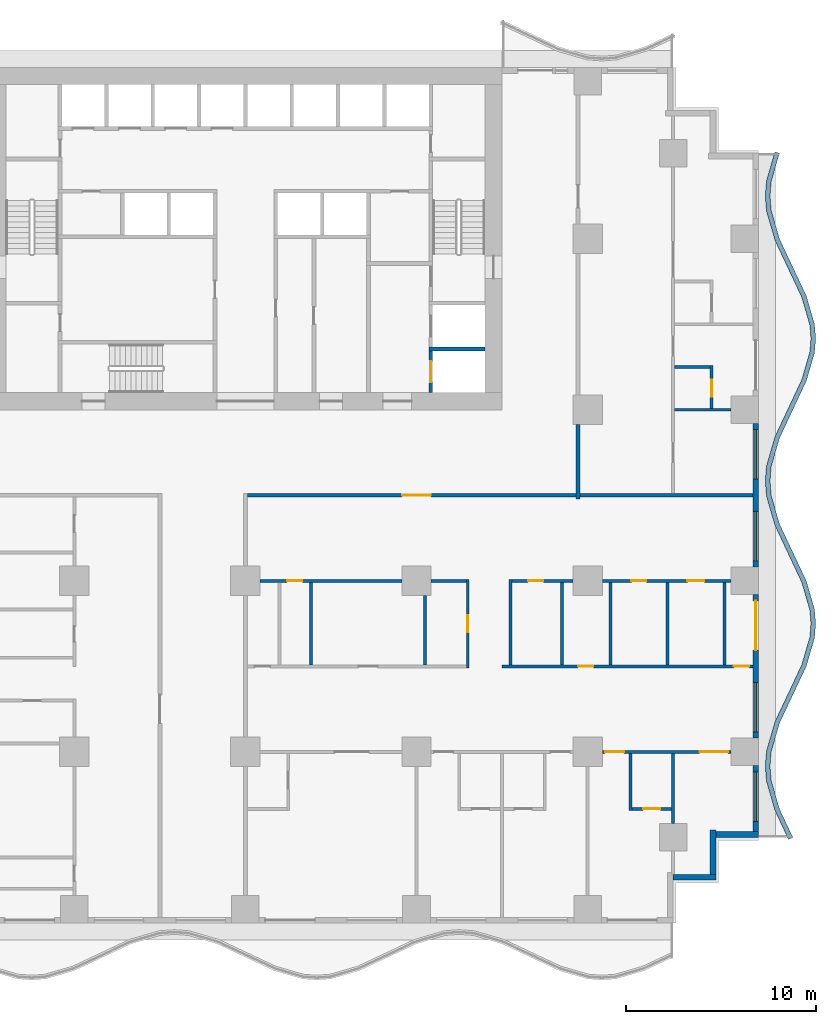
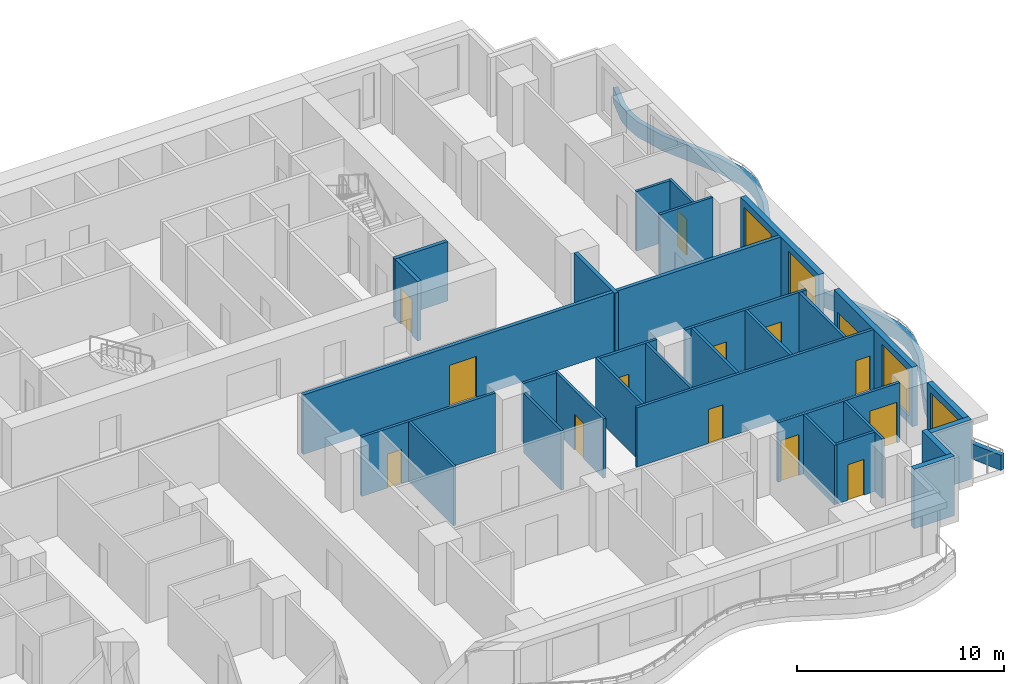
# One storey, part 4 of 14: 32 walls, 14 doors, 4 windows, 18 openings.
"""IFC4 building model written with IfcOpenShell, lengths in metres."""

from ifc_helpers import new_model, si_unit, direction, frame, frame_2d, origin, place, context, subcontext, project, spatial, polyline, rectangle, outline, extrude, material, layer, layer_set, type_object, element, fill, save


model = new_model("IFC4")

# Units and contexts
model_context = context("Model", 3, precision=1e-05, world=origin(), true_north=direction((0.0, 1.0)))
body_context = subcontext(model_context, "Body", "Model", "MODEL_VIEW")
ifc_project = project(units=[si_unit("LENGTHUNIT", "METRE"), si_unit("AREAUNIT", "SQUARE_METRE"), si_unit("VOLUMEUNIT", "CUBIC_METRE"), si_unit("PLANEANGLEUNIT", "RADIAN"), si_unit("MASSUNIT", "GRAM", prefix="KILO")], contexts=[model_context])

# Site, building, storey
site_placement = place(None, origin())
site = spatial("IfcSite", under=ifc_project, at=site_placement, CompositionType="ELEMENT")
building_placement = place(site_placement, origin())
building = spatial("IfcBuilding", under=site, at=building_placement, Name="Orbiselva Terraces", CompositionType="ELEMENT")
storey_placement = place(building_placement, frame((0.0, 0.0, 30.2)))
storey = spatial("IfcBuildingStorey", under=building, at=storey_placement, Name="L07", CompositionType="ELEMENT", Elevation=30.2)

# Wall, opening, door
ifc_material_1 = material(Name="Concrete C60/75", Category="concrete")
ifc_layer_1 = layer(ifc_material_1, 0.2)
ifc_layer_set_1 = layer_set([ifc_layer_1], Name="Concrete C60/75")
wall_type_1 = type_object("IfcWallType", Name="CORE-WALL-SHEAR-200", PredefinedType="SHEAR", material=ifc_layer_set_1)
wall_1_placement = place(storey_placement, frame((9.75, 5.4, 0.0), z_axis=(0.0, 0.0, 1.0), x_axis=(0.0, 1.0, 0.0)))
wall_1 = element("IfcWall", 1, at=wall_1_placement, inside=storey, type_object=wall_type_1, Name="L07 core wall 36", PredefinedType="SHEAR", context=body_context, shape_type="SweptSolid", body=[
    extrude(rectangle(XDim=2.2, YDim=0.2, at=frame_2d((1.1, 0.0))), origin(), (0.0, 0.0, 1.0), 3.5),
])
opening_1_placement = place(wall_1_placement, frame((0.55, 0.0, 0.0)))
opening_1 = element("IfcOpeningElement", 2, at=opening_1_placement, cuts=wall_1, Name="Opening LD-FF1", PredefinedType="OPENING", context=body_context, shape_type="SweptSolid", body=[
    extrude(rectangle(XDim=1.1, YDim=2.1, at=frame_2d((0.55, 1.05))), frame((0.0, 0.11, 0.0), z_axis=(0.0, -1.0, 0.0), x_axis=(1.0, 0.0, 0.0)), (0.0, 0.0, 1.0), 0.22),
])
ifc_material_2 = material(Name="Stainless steel landing door", Category="steel")
door_type_1 = type_object("IfcDoorType", Name="LANDING DOOR 1100", OperationType="SLIDING_TO_LEFT", PredefinedType="DOOR", material=ifc_material_2)
door_1_placement = place(opening_1_placement, origin())
door_1 = element("IfcDoor", 3, at=door_1_placement, inside=storey, type_object=door_type_1, Name="L07 landing door FF1", OperationType="SLIDING_TO_RIGHT", OverallHeight=2.1, OverallWidth=1.1, PredefinedType="DOOR", context=body_context, shape_type="SweptSolid", body=[
    extrude(rectangle(XDim=1.1, YDim=2.1, at=frame_2d((0.55, 1.05))), frame((0.0, 0.025, 0.0), z_axis=(0.0, -1.0, 0.0), x_axis=(1.0, 0.0, 0.0)), (0.0, 0.0, 1.0), 0.05),
])
fill(opening_1, door_1)

# Walls
wall_2_placement = place(storey_placement, frame((9.65, 7.7, 0.0), z_axis=(0.0, 0.0, 1.0), x_axis=(1.0, 0.0, 0.0)))
element("IfcWall", 4, at=wall_2_placement, inside=storey, type_object=wall_type_1, Name="L07 core wall 37", PredefinedType="SHEAR", context=body_context, shape_type="SweptSolid", body=[
    extrude(rectangle(XDim=2.95, YDim=0.2, at=frame_2d((1.475, 0.0))), origin(), (0.0, 0.0, 1.0), 3.5),
])
ifc_material_3 = material(Name="Concrete C40/50", Category="concrete")
ifc_layer_2 = layer(ifc_material_3, 0.25)
ifc_layer_set_2 = layer_set([ifc_layer_2], Name="Concrete C40/50")
wall_type_2 = type_object("IfcWallType", Name="ENV-PLANTER-250x900", PredefinedType="USERDEFINED", material=ifc_layer_set_2)
wall_3_placement = place(storey_placement, origin())
element("IfcWall", 5, at=wall_3_placement, inside=storey, type_object=wall_type_2, Name="Balcony planter L07 E", ObjectType="PLANTER", PredefinedType="USERDEFINED", context=body_context, shape_type="SweptSolid", body=[
    extrude(outline(polyline([(28.8, -18.0), (28.094658, -16.5), (27.658732, -15.0), (27.6, -14.25), (27.658732, -13.5), (28.094658, -12.0), (28.8, -10.5), (29.505342, -9.0), (29.941268, -7.5), (30.0, -6.75), (29.941268, -6.0), (29.505342, -4.5), (28.8, -3.0), (28.094658, -1.5), (27.658732, 0.0), (27.6, 0.75), (27.658732, 1.5), (28.094658, 3.0), (28.8, 4.5), (29.505342, 6.0), (29.941268, 7.5), (30.0, 8.25), (29.941268, 9.0), (29.505342, 10.5), (28.8, 12.0), (28.094658, 13.5), (27.658732, 15.0), (27.6, 15.75), (27.658732, 16.5), (28.094658, 18.0), (27.85459, 18.069768), (27.411499, 16.545114), (27.349235, 15.75), (27.411499, 14.954886), (27.860069, 13.411382), (28.573764, 11.893617), (29.270753, 10.411382), (29.694035, 8.954886), (29.749235, 8.25), (29.694035, 7.545114), (29.270753, 6.088618), (28.573764, 4.606383), (27.860069, 3.088618), (27.411499, 1.545114), (27.349235, 0.75), (27.411499, -0.045114), (27.860069, -1.588618), (28.573764, -3.106383), (29.270753, -4.588618), (29.694035, -6.045114), (29.749235, -6.75), (29.694035, -7.454886), (29.270753, -8.911382), (28.573764, -10.393617), (27.860069, -11.911382), (27.411499, -13.454886), (27.349235, -14.25), (27.411499, -15.045114), (27.860069, -16.588618), (28.573764, -18.106383), (28.8, -18.0)])), origin(), (0.0, 0.0, 1.0), 0.9),
])
ifc_material_4 = material(Name="Terracotta cladding on masonry backing", Category="masonry")
ifc_layer_3 = layer(ifc_material_4, 0.3)
ifc_layer_set_3 = layer_set([ifc_layer_3], Name="Terracotta cladding on masonry backing")
wall_type_3 = type_object("IfcWallType", Name="ENV-WALL-TERRACOTTA-300", PredefinedType="SOLIDWALL", material=ifc_layer_set_3)
wall_4_placement = place(storey_placement, frame((24.75, -20.1, 0.0), z_axis=(0.0, 0.0, 1.0), x_axis=(-1.0, 0.0, 0.0)))
element("IfcWall", 6, at=wall_4_placement, inside=storey, type_object=wall_type_3, Name="Facade wall L07 STEP", PredefinedType="SOLIDWALL", context=body_context, shape_type="SweptSolid", body=[
    extrude(rectangle(XDim=2.25, YDim=0.3, at=frame_2d((1.125, 0.0))), origin(), (0.0, 0.0, 1.0), 3.5),
])
wall_5_placement = place(storey_placement, frame((24.6, -17.6, 0.0), z_axis=(0.0, 0.0, 1.0), x_axis=(0.0, -1.0, 0.0)))
element("IfcWall", 7, at=wall_5_placement, inside=storey, type_object=wall_type_3, Name="Facade wall L07 STEP", PredefinedType="SOLIDWALL", context=body_context, shape_type="SweptSolid", body=[
    extrude(rectangle(XDim=2.35, YDim=0.3, at=frame_2d((1.175, 0.0))), origin(), (0.0, 0.0, 1.0), 3.5),
])
wall_6_placement = place(storey_placement, frame((27.0, -17.85, 0.0), z_axis=(0.0, 0.0, 1.0), x_axis=(-1.0, 0.0, 0.0)))
element("IfcWall", 8, at=wall_6_placement, inside=storey, type_object=wall_type_3, Name="Facade wall L07 STEP", PredefinedType="SOLIDWALL", context=body_context, shape_type="SweptSolid", body=[
    extrude(rectangle(XDim=2.25, YDim=0.3, at=frame_2d((1.125, 0.0))), origin(), (0.0, 0.0, 1.0), 3.5),
])

# Wall, opening, window
wall_7_placement = place(storey_placement, frame((26.85, -14.225, 0.0), z_axis=(0.0, 0.0, 1.0), x_axis=(0.0, -1.0, 0.0)))
wall_7 = element("IfcWall", 9, at=wall_7_placement, inside=storey, type_object=wall_type_3, Name="Facade wall L07 E", PredefinedType="SOLIDWALL", context=body_context, shape_type="SweptSolid", body=[
    extrude(rectangle(XDim=3.475, YDim=0.3, at=frame_2d((1.7375, 0.0))), origin(), (0.0, 0.0, 1.0), 3.5),
])
opening_2_placement = place(wall_7_placement, frame((0.325, 0.0, 0.45)))
opening_2 = element("IfcOpeningElement", 10, at=opening_2_placement, cuts=wall_7, Name="Opening WN1", PredefinedType="OPENING", context=body_context, shape_type="SweptSolid", body=[
    extrude(rectangle(XDim=2.6, YDim=2.65, at=frame_2d((1.3, 1.325))), frame((0.0, 0.16, 0.0), z_axis=(0.0, -1.0, 0.0), x_axis=(1.0, 0.0, 0.0)), (0.0, 0.0, 1.0), 0.32),
])
ifc_material_5 = material(Name="Clear low-e glazing in aluminium frame", Category="aluminium")
window_type = type_object("IfcWindowType", Name="WINDOW 2600 X 2650 S450", PartitioningType="TRIPLE_PANEL_VERTICAL", PredefinedType="WINDOW", material=ifc_material_5)
window_1_placement = place(opening_2_placement, origin())
window_1 = element("IfcWindow", 11, at=window_1_placement, inside=storey, type_object=window_type, Name="Window L07 E", OverallHeight=2.65, OverallWidth=2.6, PartitioningType="SINGLE_PANEL", PredefinedType="WINDOW", context=body_context, shape_type="SweptSolid", body=[
    extrude(rectangle(XDim=2.6, YDim=2.65, at=frame_2d((1.3, 1.325))), frame((0.0, 0.03, 0.0), z_axis=(0.0, -1.0, 0.0), x_axis=(1.0, 0.0, 0.0)), (0.0, 0.0, 1.0), 0.06),
])
fill(opening_2, window_1)

# Wall, openings, door, window
wall_8_placement = place(storey_placement, frame((26.85, -5.225, 0.0), z_axis=(0.0, 0.0, 1.0), x_axis=(0.0, -1.0, 0.0)))
wall_8 = element("IfcWall", 12, at=wall_8_placement, inside=storey, type_object=wall_type_3, Name="Facade wall L07 E", PredefinedType="SOLIDWALL", context=body_context, shape_type="SweptSolid", body=[
    extrude(rectangle(XDim=7.55, YDim=0.3, at=frame_2d((3.775, 0.0))), origin(), (0.0, 0.0, 1.0), 3.5),
])
opening_3_placement = place(wall_8_placement, frame((4.625, 0.0, 0.45)))
opening_3 = element("IfcOpeningElement", 13, at=opening_3_placement, cuts=wall_8, Name="Opening WN1", PredefinedType="OPENING", context=body_context, shape_type="SweptSolid", body=[
    extrude(rectangle(XDim=2.6, YDim=2.65, at=frame_2d((1.3, 1.325))), frame((0.0, 0.16, 0.0), z_axis=(0.0, -1.0, 0.0), x_axis=(1.0, 0.0, 0.0)), (0.0, 0.0, 1.0), 0.32),
])
opening_4_placement = place(wall_8_placement, frame((0.325, 0.0, 0.0)))
opening_4 = element("IfcOpeningElement", 14, at=opening_4_placement, cuts=wall_8, Name="Opening Z1-B-E05", PredefinedType="OPENING", context=body_context, shape_type="SweptSolid", body=[
    extrude(rectangle(XDim=2.6, YDim=2.4, at=frame_2d((1.3, 1.2))), frame((0.0, 0.16, 0.0), z_axis=(0.0, -1.0, 0.0), x_axis=(1.0, 0.0, 0.0)), (0.0, 0.0, 1.0), 0.32),
])
door_type_2 = type_object("IfcDoorType", Name="BALCONY DOOR 2600 X 2400", OperationType="DOUBLE_DOOR_SLIDING", PredefinedType="DOOR", material=ifc_material_5)
door_2_placement = place(opening_4_placement, origin())
door_2 = element("IfcDoor", 15, at=door_2_placement, inside=storey, type_object=door_type_2, Name="Z1-B-E05", OperationType="SINGLE_SWING_LEFT", OverallHeight=2.4, OverallWidth=2.6, PredefinedType="DOOR", context=body_context, shape_type="SweptSolid", body=[
    extrude(rectangle(XDim=2.6, YDim=2.4, at=frame_2d((1.3, 1.2))), frame((0.0, 0.025, 0.0), z_axis=(0.0, -1.0, 0.0), x_axis=(1.0, 0.0, 0.0)), (0.0, 0.0, 1.0), 0.05),
])
fill(opening_4, door_2)
window_2_placement = place(opening_3_placement, origin())
window_2 = element("IfcWindow", 16, at=window_2_placement, inside=storey, type_object=window_type, Name="Window L07 E", OverallHeight=2.65, OverallWidth=2.6, PartitioningType="SINGLE_PANEL", PredefinedType="WINDOW", context=body_context, shape_type="SweptSolid", body=[
    extrude(rectangle(XDim=2.6, YDim=2.65, at=frame_2d((1.3, 1.325))), frame((0.0, 0.03, 0.0), z_axis=(0.0, -1.0, 0.0), x_axis=(1.0, 0.0, 0.0)), (0.0, 0.0, 1.0), 0.06),
])
fill(opening_3, window_2)

# Wall, openings, windows
wall_9_placement = place(storey_placement, frame((26.85, 3.775, 0.0), z_axis=(0.0, 0.0, 1.0), x_axis=(0.0, -1.0, 0.0)))
wall_9 = element("IfcWall", 17, at=wall_9_placement, inside=storey, type_object=wall_type_3, Name="Facade wall L07 E", PredefinedType="SOLIDWALL", context=body_context, shape_type="SweptSolid", body=[
    extrude(rectangle(XDim=7.55, YDim=0.3, at=frame_2d((3.775, 0.0))), origin(), (0.0, 0.0, 1.0), 3.5),
])
opening_5_placement = place(wall_9_placement, frame((4.625, 0.0, 0.45)))
opening_5 = element("IfcOpeningElement", 18, at=opening_5_placement, cuts=wall_9, Name="Opening WN1", PredefinedType="OPENING", context=body_context, shape_type="SweptSolid", body=[
    extrude(rectangle(XDim=2.6, YDim=2.65, at=frame_2d((1.3, 1.325))), frame((0.0, 0.16, 0.0), z_axis=(0.0, -1.0, 0.0), x_axis=(1.0, 0.0, 0.0)), (0.0, 0.0, 1.0), 0.32),
])
opening_6_placement = place(wall_9_placement, frame((0.325, 0.0, 0.45)))
opening_6 = element("IfcOpeningElement", 19, at=opening_6_placement, cuts=wall_9, Name="Opening WN1", PredefinedType="OPENING", context=body_context, shape_type="SweptSolid", body=[
    extrude(rectangle(XDim=2.6, YDim=2.65, at=frame_2d((1.3, 1.325))), frame((0.0, 0.16, 0.0), z_axis=(0.0, -1.0, 0.0), x_axis=(1.0, 0.0, 0.0)), (0.0, 0.0, 1.0), 0.32),
])
window_3_placement = place(opening_5_placement, origin())
window_3 = element("IfcWindow", 20, at=window_3_placement, inside=storey, type_object=window_type, Name="Window L07 E", OverallHeight=2.65, OverallWidth=2.6, PartitioningType="SINGLE_PANEL", PredefinedType="WINDOW", context=body_context, shape_type="SweptSolid", body=[
    extrude(rectangle(XDim=2.6, YDim=2.65, at=frame_2d((1.3, 1.325))), frame((0.0, 0.03, 0.0), z_axis=(0.0, -1.0, 0.0), x_axis=(1.0, 0.0, 0.0)), (0.0, 0.0, 1.0), 0.06),
])
fill(opening_5, window_3)
window_4_placement = place(opening_6_placement, origin())
window_4 = element("IfcWindow", 21, at=window_4_placement, inside=storey, type_object=window_type, Name="Window L07 E", OverallHeight=2.65, OverallWidth=2.6, PartitioningType="SINGLE_PANEL", PredefinedType="WINDOW", context=body_context, shape_type="SweptSolid", body=[
    extrude(rectangle(XDim=2.6, YDim=2.65, at=frame_2d((1.3, 1.325))), frame((0.0, 0.03, 0.0), z_axis=(0.0, -1.0, 0.0), x_axis=(1.0, 0.0, 0.0)), (0.0, 0.0, 1.0), 0.06),
])
fill(opening_6, window_4)

# Wall, opening, door
ifc_material_6 = material(Name="Plasterboard on steel stud partition", Category="steel")
ifc_layer_4 = layer(ifc_material_6, 0.2)
ifc_layer_set_4 = layer_set([ifc_layer_4], Name="Plasterboard on steel stud partition")
wall_type_4 = type_object("IfcWallType", Name="UNIT-ENTRANCE-WALL-200", PredefinedType="PARTITIONING", material=ifc_layer_set_4)
wall_10_placement = place(storey_placement, frame((17.4, 0.0, 0.0), z_axis=(0.0, 0.0, 1.0), x_axis=(-1.0, 0.0, 0.0)))
wall_10 = element("IfcWall", 22, at=wall_10_placement, inside=storey, type_object=wall_type_4, Name="PARTITION L07-029", PredefinedType="PARTITIONING", context=body_context, shape_type="SweptSolid", body=[
    extrude(rectangle(XDim=17.3, YDim=0.2, at=frame_2d((8.65, 0.0))), origin(), (0.0, 0.0, 1.0), 3.5),
])
opening_7_placement = place(wall_10_placement, frame((7.65, 0.0, 0.0)))
opening_7 = element("IfcOpeningElement", 23, at=opening_7_placement, cuts=wall_10, Name="Opening Z1-B-28", PredefinedType="OPENING", context=body_context, shape_type="SweptSolid", body=[
    extrude(rectangle(XDim=1.5, YDim=2.4, at=frame_2d((0.75, 1.2))), frame((0.0, 0.11, 0.0), z_axis=(0.0, -1.0, 0.0), x_axis=(1.0, 0.0, 0.0)), (0.0, 0.0, 1.0), 0.22),
])
ifc_material_7 = material(Name="Painted timber door leaf", Category="wood")
door_type_3 = type_object("IfcDoorType", Name="ENTRANCE DOUBLE DOOR 1500", OperationType="NOTDEFINED", PredefinedType="DOOR", material=ifc_material_7)
door_3_placement = place(opening_7_placement, origin())
door_3 = element("IfcDoor", 24, at=door_3_placement, inside=storey, type_object=door_type_3, Name="Z1-B-28", OperationType="DOUBLE_DOOR_SINGLE_SWING", OverallHeight=2.4, OverallWidth=1.5, PredefinedType="DOOR", context=body_context, shape_type="SweptSolid", body=[
    extrude(rectangle(XDim=1.5, YDim=2.4, at=frame_2d((0.75, 1.2))), frame((0.0, 0.025, 0.0), z_axis=(0.0, -1.0, 0.0), x_axis=(1.0, 0.0, 0.0)), (0.0, 0.0, 1.0), 0.05),
])
fill(opening_7, door_3)

# Wall
wall_11_placement = place(storey_placement, frame((17.5, -0.2, 0.0), z_axis=(0.0, 0.0, 1.0), x_axis=(0.0, 1.0, 0.0)))
element("IfcWall", 25, at=wall_11_placement, inside=storey, type_object=wall_type_4, Name="PARTITION L07-073", PredefinedType="PARTITIONING", context=body_context, shape_type="SweptSolid", body=[
    extrude(rectangle(XDim=3.925, YDim=0.2, at=frame_2d((1.9625, 0.0))), origin(), (0.0, 0.0, 1.0), 3.5),
])

# Wall, opening, door
ifc_layer_5 = layer(ifc_material_6, 0.15)
ifc_layer_set_5 = layer_set([ifc_layer_5], Name="Plasterboard on steel stud partition")
wall_type_5 = type_object("IfcWallType", Name="UNIT-PARTITION-150", PredefinedType="PARTITIONING", material=ifc_layer_set_5)
wall_12_placement = place(storey_placement, frame((20.325, -16.5, 0.0), z_axis=(0.0, 0.0, 1.0), x_axis=(1.0, 0.0, 0.0)))
wall_12 = element("IfcWall", 26, at=wall_12_placement, inside=storey, type_object=wall_type_5, Name="PARTITION L07-006", PredefinedType="PARTITIONING", context=body_context, shape_type="SweptSolid", body=[
    extrude(rectangle(XDim=2.1, YDim=0.15, at=frame_2d((1.05, 0.0))), origin(), (0.0, 0.0, 1.0), 3.5),
])
opening_8_placement = place(wall_12_placement, frame((0.6, 0.0, 0.0)))
opening_8 = element("IfcOpeningElement", 27, at=opening_8_placement, cuts=wall_12, Name="Opening Z1-B-45", PredefinedType="OPENING", context=body_context, shape_type="SweptSolid", body=[
    extrude(rectangle(XDim=0.9, YDim=2.1, at=frame_2d((0.45, 1.05))), frame((0.0, 0.085, 0.0), z_axis=(0.0, -1.0, 0.0), x_axis=(1.0, 0.0, 0.0)), (0.0, 0.0, 1.0), 0.17),
])
door_type_4 = type_object("IfcDoorType", Name="BATH DOOR 900", OperationType="NOTDEFINED", PredefinedType="DOOR", material=ifc_material_7)
door_4_placement = place(opening_8_placement, origin())
door_4 = element("IfcDoor", 28, at=door_4_placement, inside=storey, type_object=door_type_4, Name="Z1-B-45", OperationType="SINGLE_SWING_LEFT", OverallHeight=2.1, OverallWidth=0.9, PredefinedType="DOOR", context=body_context, shape_type="SweptSolid", body=[
    extrude(rectangle(XDim=0.9, YDim=2.1, at=frame_2d((0.45, 1.05))), frame((0.0, 0.025, 0.0), z_axis=(0.0, -1.0, 0.0), x_axis=(1.0, 0.0, 0.0)), (0.0, 0.0, 1.0), 0.05),
])
fill(opening_8, door_4)

# Wall, openings, doors
wall_13_placement = place(storey_placement, frame((25.55, -13.5, 0.0), z_axis=(0.0, 0.0, 1.0), x_axis=(-1.0, 0.0, 0.0)))
wall_13 = element("IfcWall", 29, at=wall_13_placement, inside=storey, type_object=wall_type_5, Name="PARTITION L07-011", PredefinedType="PARTITIONING", context=body_context, shape_type="SweptSolid", body=[
    extrude(rectangle(XDim=6.775, YDim=0.15, at=frame_2d((3.3875, 0.0))), origin(), (0.0, 0.0, 1.0), 3.5),
])
opening_9_placement = place(wall_13_placement, frame((5.625, 0.0, 0.0)))
opening_9 = element("IfcOpeningElement", 30, at=opening_9_placement, cuts=wall_13, Name="Opening Z1-B-44", PredefinedType="OPENING", context=body_context, shape_type="SweptSolid", body=[
    extrude(rectangle(XDim=1.0, YDim=2.4, at=frame_2d((0.5, 1.2))), frame((0.0, 0.085, 0.0), z_axis=(0.0, -1.0, 0.0), x_axis=(1.0, 0.0, 0.0)), (0.0, 0.0, 1.0), 0.17),
])
opening_10_placement = place(wall_13_placement, frame((0.15, 0.0, 0.0)))
opening_10 = element("IfcOpeningElement", 31, at=opening_10_placement, cuts=wall_13, Name="Opening Z1-B-46", PredefinedType="OPENING", context=body_context, shape_type="SweptSolid", body=[
    extrude(rectangle(XDim=1.5, YDim=2.4, at=frame_2d((0.75, 1.2))), frame((0.0, 0.085, 0.0), z_axis=(0.0, -1.0, 0.0), x_axis=(1.0, 0.0, 0.0)), (0.0, 0.0, 1.0), 0.17),
])
door_type_5 = type_object("IfcDoorType", Name="DOUBLE DOOR 1500", OperationType="NOTDEFINED", PredefinedType="DOOR", material=ifc_material_7)
door_5_placement = place(opening_10_placement, origin())
door_5 = element("IfcDoor", 32, at=door_5_placement, inside=storey, type_object=door_type_5, Name="Z1-B-46", OperationType="DOUBLE_DOOR_SINGLE_SWING", OverallHeight=2.4, OverallWidth=1.5, PredefinedType="DOOR", context=body_context, shape_type="SweptSolid", body=[
    extrude(rectangle(XDim=1.5, YDim=2.4, at=frame_2d((0.75, 1.2))), frame((0.0, 0.025, 0.0), z_axis=(0.0, -1.0, 0.0), x_axis=(1.0, 0.0, 0.0)), (0.0, 0.0, 1.0), 0.05),
])
fill(opening_10, door_5)
door_type_6 = type_object("IfcDoorType", Name="ROOM DOOR 1000", OperationType="NOTDEFINED", PredefinedType="DOOR", material=ifc_material_7)
door_6_placement = place(opening_9_placement, origin())
door_6 = element("IfcDoor", 33, at=door_6_placement, inside=storey, type_object=door_type_6, Name="Z1-B-44", OperationType="SINGLE_SWING_RIGHT", OverallHeight=2.4, OverallWidth=1.0, PredefinedType="DOOR", context=body_context, shape_type="SweptSolid", body=[
    extrude(rectangle(XDim=1.0, YDim=2.4, at=frame_2d((0.5, 1.2))), frame((0.0, 0.025, 0.0), z_axis=(0.0, -1.0, 0.0), x_axis=(1.0, 0.0, 0.0)), (0.0, 0.0, 1.0), 0.05),
])
fill(opening_9, door_6)

wall_14_placement = place(storey_placement, frame((13.5, -9.0, 0.0), z_axis=(0.0, 0.0, 1.0), x_axis=(1.0, 0.0, 0.0)))
wall_14 = element("IfcWall", 34, at=wall_14_placement, inside=storey, type_object=wall_type_5, Name="PARTITION L07-018", PredefinedType="PARTITIONING", context=body_context, shape_type="SweptSolid", body=[
    extrude(rectangle(XDim=13.2, YDim=0.15, at=frame_2d((6.6, 0.0))), origin(), (0.0, 0.0, 1.0), 3.5),
])
opening_11_placement = place(wall_14_placement, frame((4.0, 0.0, 0.0)))
opening_11 = element("IfcOpeningElement", 35, at=opening_11_placement, cuts=wall_14, Name="Opening Z1-B-34", PredefinedType="OPENING", context=body_context, shape_type="SweptSolid", body=[
    extrude(rectangle(XDim=0.8, YDim=2.0, at=frame_2d((0.4, 1.0))), frame((0.0, 0.085, 0.0), z_axis=(0.0, -1.0, 0.0), x_axis=(1.0, 0.0, 0.0)), (0.0, 0.0, 1.0), 0.17),
])
opening_12_placement = place(wall_14_placement, frame((12.2, 0.0, 0.0)))
opening_12 = element("IfcOpeningElement", 36, at=opening_12_placement, cuts=wall_14, Name="Opening Z1-B-37", PredefinedType="OPENING", context=body_context, shape_type="SweptSolid", body=[
    extrude(rectangle(XDim=0.8, YDim=2.0, at=frame_2d((0.4, 1.0))), frame((0.0, 0.085, 0.0), z_axis=(0.0, -1.0, 0.0), x_axis=(1.0, 0.0, 0.0)), (0.0, 0.0, 1.0), 0.17),
])
door_type_7 = type_object("IfcDoorType", Name="STORE DOOR 800", OperationType="NOTDEFINED", PredefinedType="DOOR", material=ifc_material_7)
door_7_placement = place(opening_11_placement, origin())
door_7 = element("IfcDoor", 37, at=door_7_placement, inside=storey, type_object=door_type_7, Name="Z1-B-34", OperationType="SINGLE_SWING_LEFT", OverallHeight=2.0, OverallWidth=0.8, PredefinedType="DOOR", context=body_context, shape_type="SweptSolid", body=[
    extrude(rectangle(XDim=0.8, YDim=2.0, at=frame_2d((0.4, 1.0))), frame((0.0, 0.025, 0.0), z_axis=(0.0, -1.0, 0.0), x_axis=(1.0, 0.0, 0.0)), (0.0, 0.0, 1.0), 0.05),
])
fill(opening_11, door_7)
door_8_placement = place(opening_12_placement, origin())
door_8 = element("IfcDoor", 38, at=door_8_placement, inside=storey, type_object=door_type_7, Name="Z1-B-37", OperationType="SINGLE_SWING_RIGHT", OverallHeight=2.0, OverallWidth=0.8, PredefinedType="DOOR", context=body_context, shape_type="SweptSolid", body=[
    extrude(rectangle(XDim=0.8, YDim=2.0, at=frame_2d((0.4, 1.0))), frame((0.0, 0.025, 0.0), z_axis=(0.0, -1.0, 0.0), x_axis=(1.0, 0.0, 0.0)), (0.0, 0.0, 1.0), 0.05),
])
fill(opening_12, door_8)

# Wall, opening, door
wall_15_placement = place(storey_placement, frame((8.225, -4.5, 0.0), z_axis=(0.0, 0.0, 1.0), x_axis=(-1.0, 0.0, 0.0)))
wall_15 = element("IfcWall", 39, at=wall_15_placement, inside=storey, type_object=wall_type_5, Name="PARTITION L07-023", PredefinedType="PARTITIONING", context=body_context, shape_type="SweptSolid", body=[
    extrude(rectangle(XDim=7.45, YDim=0.15, at=frame_2d((3.725, 0.0))), origin(), (0.0, 0.0, 1.0), 3.5),
])
opening_13_placement = place(wall_15_placement, frame((5.225, 0.0, 0.0)))
opening_13 = element("IfcOpeningElement", 40, at=opening_13_placement, cuts=wall_15, Name="Opening Z1-B-30", PredefinedType="OPENING", context=body_context, shape_type="SweptSolid", body=[
    extrude(rectangle(XDim=0.8, YDim=2.0, at=frame_2d((0.4, 1.0))), frame((0.0, 0.085, 0.0), z_axis=(0.0, -1.0, 0.0), x_axis=(1.0, 0.0, 0.0)), (0.0, 0.0, 1.0), 0.17),
])
door_9_placement = place(opening_13_placement, origin())
door_9 = element("IfcDoor", 41, at=door_9_placement, inside=storey, type_object=door_type_7, Name="Z1-B-30", OperationType="SINGLE_SWING_RIGHT", OverallHeight=2.0, OverallWidth=0.8, PredefinedType="DOOR", context=body_context, shape_type="SweptSolid", body=[
    extrude(rectangle(XDim=0.8, YDim=2.0, at=frame_2d((0.4, 1.0))), frame((0.0, 0.025, 0.0), z_axis=(0.0, -1.0, 0.0), x_axis=(1.0, 0.0, 0.0)), (0.0, 0.0, 1.0), 0.05),
])
fill(opening_13, door_9)

# Wall
wall_16_placement = place(storey_placement, frame((9.775, -4.5, 0.0), z_axis=(0.0, 0.0, 1.0), x_axis=(1.0, 0.0, 0.0)))
element("IfcWall", 42, at=wall_16_placement, inside=storey, type_object=wall_type_5, Name="PARTITION L07-024", PredefinedType="PARTITIONING", context=body_context, shape_type="SweptSolid", body=[
    extrude(rectangle(XDim=1.85, YDim=0.15, at=frame_2d((0.925, 0.0))), origin(), (0.0, 0.0, 1.0), 3.5),
])

# Wall, opening, door
wall_17_placement = place(storey_placement, frame((17.225, -4.5, 0.0), z_axis=(0.0, 0.0, 1.0), x_axis=(-1.0, 0.0, 0.0)))
wall_17 = element("IfcWall", 43, at=wall_17_placement, inside=storey, type_object=wall_type_5, Name="PARTITION L07-025", PredefinedType="PARTITIONING", context=body_context, shape_type="SweptSolid", body=[
    extrude(rectangle(XDim=3.2, YDim=0.15, at=frame_2d((1.6, 0.0))), origin(), (0.0, 0.0, 1.0), 3.5),
])
opening_14_placement = place(wall_17_placement, frame((1.55, 0.0, 0.0)))
opening_14 = element("IfcOpeningElement", 44, at=opening_14_placement, cuts=wall_17, Name="Opening Z1-B-33", PredefinedType="OPENING", context=body_context, shape_type="SweptSolid", body=[
    extrude(rectangle(XDim=0.8, YDim=2.0, at=frame_2d((0.4, 1.0))), frame((0.0, 0.085, 0.0), z_axis=(0.0, -1.0, 0.0), x_axis=(1.0, 0.0, 0.0)), (0.0, 0.0, 1.0), 0.17),
])
door_10_placement = place(opening_14_placement, origin())
door_10 = element("IfcDoor", 45, at=door_10_placement, inside=storey, type_object=door_type_7, Name="Z1-B-33", OperationType="SINGLE_SWING_RIGHT", OverallHeight=2.0, OverallWidth=0.8, PredefinedType="DOOR", context=body_context, shape_type="SweptSolid", body=[
    extrude(rectangle(XDim=0.8, YDim=2.0, at=frame_2d((0.4, 1.0))), frame((0.0, 0.025, 0.0), z_axis=(0.0, -1.0, 0.0), x_axis=(1.0, 0.0, 0.0)), (0.0, 0.0, 1.0), 0.05),
])
fill(opening_14, door_10)

# Wall, openings, doors
wall_18_placement = place(storey_placement, frame((25.55, -4.5, 0.0), z_axis=(0.0, 0.0, 1.0), x_axis=(-1.0, 0.0, 0.0)))
wall_18 = element("IfcWall", 46, at=wall_18_placement, inside=storey, type_object=wall_type_5, Name="PARTITION L07-026", PredefinedType="PARTITIONING", context=body_context, shape_type="SweptSolid", body=[
    extrude(rectangle(XDim=6.775, YDim=0.15, at=frame_2d((3.3875, 0.0))), origin(), (0.0, 0.0, 1.0), 3.5),
])
opening_15_placement = place(wall_18_placement, frame((4.45, 0.0, 0.0)))
opening_15 = element("IfcOpeningElement", 47, at=opening_15_placement, cuts=wall_18, Name="Opening Z1-B-35", PredefinedType="OPENING", context=body_context, shape_type="SweptSolid", body=[
    extrude(rectangle(XDim=0.8, YDim=2.0, at=frame_2d((0.4, 1.0))), frame((0.0, 0.085, 0.0), z_axis=(0.0, -1.0, 0.0), x_axis=(1.0, 0.0, 0.0)), (0.0, 0.0, 1.0), 0.17),
])
opening_16_placement = place(wall_18_placement, frame((1.4, 0.0, 0.0)))
opening_16 = element("IfcOpeningElement", 48, at=opening_16_placement, cuts=wall_18, Name="Opening Z1-B-36", PredefinedType="OPENING", context=body_context, shape_type="SweptSolid", body=[
    extrude(rectangle(XDim=0.9, YDim=2.1, at=frame_2d((0.45, 1.05))), frame((0.0, 0.085, 0.0), z_axis=(0.0, -1.0, 0.0), x_axis=(1.0, 0.0, 0.0)), (0.0, 0.0, 1.0), 0.17),
])
door_type_8 = type_object("IfcDoorType", Name="SERVICE DOOR 900", OperationType="NOTDEFINED", PredefinedType="DOOR", material=ifc_material_7)
door_11_placement = place(opening_16_placement, origin())
door_11 = element("IfcDoor", 49, at=door_11_placement, inside=storey, type_object=door_type_8, Name="Z1-B-36", OperationType="SINGLE_SWING_LEFT", OverallHeight=2.1, OverallWidth=0.9, PredefinedType="DOOR", context=body_context, shape_type="SweptSolid", body=[
    extrude(rectangle(XDim=0.9, YDim=2.1, at=frame_2d((0.45, 1.05))), frame((0.0, 0.025, 0.0), z_axis=(0.0, -1.0, 0.0), x_axis=(1.0, 0.0, 0.0)), (0.0, 0.0, 1.0), 0.05),
])
fill(opening_16, door_11)
door_12_placement = place(opening_15_placement, origin())
door_12 = element("IfcDoor", 50, at=door_12_placement, inside=storey, type_object=door_type_7, Name="Z1-B-35", OperationType="SINGLE_SWING_RIGHT", OverallHeight=2.0, OverallWidth=0.8, PredefinedType="DOOR", context=body_context, shape_type="SweptSolid", body=[
    extrude(rectangle(XDim=0.8, YDim=2.0, at=frame_2d((0.4, 1.0))), frame((0.0, 0.025, 0.0), z_axis=(0.0, -1.0, 0.0), x_axis=(1.0, 0.0, 0.0)), (0.0, 0.0, 1.0), 0.05),
])
fill(opening_15, door_12)

# Walls
wall_19_placement = place(storey_placement, frame((22.575, 4.5, 0.0), z_axis=(0.0, 0.0, 1.0), x_axis=(1.0, 0.0, 0.0)))
element("IfcWall", 51, at=wall_19_placement, inside=storey, type_object=wall_type_5, Name="PARTITION L07-033", PredefinedType="PARTITIONING", context=body_context, shape_type="SweptSolid", body=[
    extrude(rectangle(XDim=2.975, YDim=0.15, at=frame_2d((1.4875, 0.0))), origin(), (0.0, 0.0, 1.0), 3.5),
])
wall_20_placement = place(storey_placement, frame((22.575, 6.75, 0.0), z_axis=(0.0, 0.0, 1.0), x_axis=(1.0, 0.0, 0.0)))
element("IfcWall", 52, at=wall_20_placement, inside=storey, type_object=wall_type_5, Name="PARTITION L07-034", PredefinedType="PARTITIONING", context=body_context, shape_type="SweptSolid", body=[
    extrude(rectangle(XDim=1.875, YDim=0.15, at=frame_2d((0.9375, 0.0))), origin(), (0.0, 0.0, 1.0), 3.5),
])
wall_21_placement = place(storey_placement, frame((3.45, -8.925, 0.0), z_axis=(0.0, 0.0, 1.0), x_axis=(0.0, 1.0, 0.0)))
element("IfcWall", 53, at=wall_21_placement, inside=storey, type_object=wall_type_5, Name="PARTITION L07-064", PredefinedType="PARTITIONING", context=body_context, shape_type="SweptSolid", body=[
    extrude(rectangle(XDim=4.35, YDim=0.15, at=frame_2d((2.175, 0.0))), origin(), (0.0, 0.0, 1.0), 3.5),
])
wall_22_placement = place(storey_placement, frame((9.45, -8.925, 0.0), z_axis=(0.0, 0.0, 1.0), x_axis=(0.0, 1.0, 0.0)))
element("IfcWall", 54, at=wall_22_placement, inside=storey, type_object=wall_type_5, Name="PARTITION L07-066", PredefinedType="PARTITIONING", context=body_context, shape_type="SweptSolid", body=[
    extrude(rectangle(XDim=3.65, YDim=0.15, at=frame_2d((1.825, 0.0))), origin(), (0.0, 0.0, 1.0), 3.5),
])

# Wall, opening, door
wall_23_placement = place(storey_placement, frame((11.7, -9.075, 0.0), z_axis=(0.0, 0.0, 1.0), x_axis=(0.0, 1.0, 0.0)))
wall_23 = element("IfcWall", 55, at=wall_23_placement, inside=storey, type_object=wall_type_5, Name="PARTITION L07-068", PredefinedType="PARTITIONING", context=body_context, shape_type="SweptSolid", body=[
    extrude(rectangle(XDim=4.65, YDim=0.15, at=frame_2d((2.325, 0.0))), origin(), (0.0, 0.0, 1.0), 3.5),
])
opening_17_placement = place(wall_23_placement, frame((1.875, 0.0, 0.0)))
opening_17 = element("IfcOpeningElement", 56, at=opening_17_placement, cuts=wall_23, Name="Opening Z1-B-32", PredefinedType="OPENING", context=body_context, shape_type="SweptSolid", body=[
    extrude(rectangle(XDim=0.9, YDim=2.1, at=frame_2d((0.45, 1.05))), frame((0.0, 0.085, 0.0), z_axis=(0.0, -1.0, 0.0), x_axis=(1.0, 0.0, 0.0)), (0.0, 0.0, 1.0), 0.17),
])
door_13_placement = place(opening_17_placement, origin())
door_13 = element("IfcDoor", 57, at=door_13_placement, inside=storey, type_object=door_type_4, Name="Z1-B-32", OperationType="SINGLE_SWING_LEFT", OverallHeight=2.1, OverallWidth=0.9, PredefinedType="DOOR", context=body_context, shape_type="SweptSolid", body=[
    extrude(rectangle(XDim=0.9, YDim=2.1, at=frame_2d((0.45, 1.05))), frame((0.0, 0.025, 0.0), z_axis=(0.0, -1.0, 0.0), x_axis=(1.0, 0.0, 0.0)), (0.0, 0.0, 1.0), 0.05),
])
fill(opening_17, door_13)

# Walls
wall_24_placement = place(storey_placement, frame((13.95, -8.925, 0.0), z_axis=(0.0, 0.0, 1.0), x_axis=(0.0, 1.0, 0.0)))
element("IfcWall", 58, at=wall_24_placement, inside=storey, type_object=wall_type_5, Name="PARTITION L07-070", PredefinedType="PARTITIONING", context=body_context, shape_type="SweptSolid", body=[
    extrude(rectangle(XDim=4.5, YDim=0.15, at=frame_2d((2.25, 0.0))), origin(), (0.0, 0.0, 1.0), 3.5),
])
for number, where, z_axis, x_axis, name in (
    (59, (16.65, -8.925, 0.0), (0.0, 0.0, 1.0), (0.0, 1.0, 0.0), "PARTITION L07-072"),
    (60, (19.2, -8.925, 0.0), (0.0, 0.0, 1.0), (0.0, 1.0, 0.0), "PARTITION L07-077"),
):
    element("IfcWall", number, at=place(storey_placement, frame(where, z_axis=z_axis, x_axis=x_axis)), inside=storey, type_object=wall_type_5, Name=name, PredefinedType="PARTITIONING", context=body_context, shape_type="SweptSolid", body=[
        extrude(rectangle(XDim=4.35, YDim=0.15, at=frame_2d((2.175, 0.0))), origin(), (0.0, 0.0, 1.0), 3.5),
    ])
wall_25_placement = place(storey_placement, frame((20.25, -16.575, 0.0), z_axis=(0.0, 0.0, 1.0), x_axis=(0.0, 1.0, 0.0)))
element("IfcWall", 61, at=wall_25_placement, inside=storey, type_object=wall_type_5, Name="PARTITION L07-078", PredefinedType="PARTITIONING", context=body_context, shape_type="SweptSolid", body=[
    extrude(rectangle(XDim=3.0, YDim=0.15, at=frame_2d((1.5, 0.0))), origin(), (0.0, 0.0, 1.0), 3.5),
])
wall_26_placement = place(storey_placement, frame((22.2, -8.925, 0.0), z_axis=(0.0, 0.0, 1.0), x_axis=(0.0, 1.0, 0.0)))
element("IfcWall", 62, at=wall_26_placement, inside=storey, type_object=wall_type_5, Name="PARTITION L07-079", PredefinedType="PARTITIONING", context=body_context, shape_type="SweptSolid", body=[
    extrude(rectangle(XDim=4.35, YDim=0.15, at=frame_2d((2.175, 0.0))), origin(), (0.0, 0.0, 1.0), 3.5),
])
wall_27_placement = place(storey_placement, frame((22.5, -17.275, 0.0), z_axis=(0.0, 0.0, 1.0), x_axis=(0.0, 1.0, 0.0)))
element("IfcWall", 63, at=wall_27_placement, inside=storey, type_object=wall_type_5, Name="PARTITION L07-081", PredefinedType="PARTITIONING", context=body_context, shape_type="SweptSolid", body=[
    extrude(rectangle(XDim=3.7, YDim=0.15, at=frame_2d((1.85, 0.0))), origin(), (0.0, 0.0, 1.0), 3.5),
])

# Wall, opening, door
wall_28_placement = place(storey_placement, frame((24.525, 4.575, 0.0), z_axis=(0.0, 0.0, 1.0), x_axis=(0.0, 1.0, 0.0)))
wall_28 = element("IfcWall", 64, at=wall_28_placement, inside=storey, type_object=wall_type_5, Name="PARTITION L07-084", PredefinedType="PARTITIONING", context=body_context, shape_type="SweptSolid", body=[
    extrude(rectangle(XDim=2.25, YDim=0.15, at=frame_2d((1.125, 0.0))), origin(), (0.0, 0.0, 1.0), 3.5),
])
opening_18_placement = place(wall_28_placement, frame((0.6, 0.0, 0.0)))
opening_18 = element("IfcOpeningElement", 65, at=opening_18_placement, cuts=wall_28, Name="Opening Z1-B-10", PredefinedType="OPENING", context=body_context, shape_type="SweptSolid", body=[
    extrude(rectangle(XDim=0.9, YDim=2.1, at=frame_2d((0.45, 1.05))), frame((0.0, 0.085, 0.0), z_axis=(0.0, -1.0, 0.0), x_axis=(1.0, 0.0, 0.0)), (0.0, 0.0, 1.0), 0.17),
])
door_14_placement = place(opening_18_placement, origin())
door_14 = element("IfcDoor", 66, at=door_14_placement, inside=storey, type_object=door_type_4, Name="Z1-B-10", OperationType="SINGLE_SWING_LEFT", OverallHeight=2.1, OverallWidth=0.9, PredefinedType="DOOR", context=body_context, shape_type="SweptSolid", body=[
    extrude(rectangle(XDim=0.9, YDim=2.1, at=frame_2d((0.45, 1.05))), frame((0.0, 0.025, 0.0), z_axis=(0.0, -1.0, 0.0), x_axis=(1.0, 0.0, 0.0)), (0.0, 0.0, 1.0), 0.05),
])
fill(opening_18, door_14)

# Walls
wall_29_placement = place(storey_placement, frame((25.2, -8.925, 0.0), z_axis=(0.0, 0.0, 1.0), x_axis=(0.0, 1.0, 0.0)))
element("IfcWall", 67, at=wall_29_placement, inside=storey, type_object=wall_type_5, Name="PARTITION L07-086", PredefinedType="PARTITIONING", context=body_context, shape_type="SweptSolid", body=[
    extrude(rectangle(XDim=4.35, YDim=0.15, at=frame_2d((2.175, 0.0))), origin(), (0.0, 0.0, 1.0), 3.5),
])
ifc_layer_6 = layer(ifc_material_6, 0.2)
ifc_layer_set_6 = layer_set([ifc_layer_6], Name="Plasterboard on steel stud partition")
wall_type_6 = type_object("IfcWallType", Name="UNIT-PARTY-WALL-200", PredefinedType="PARTITIONING", material=ifc_layer_set_6)
wall_30_placement = place(storey_placement, frame((17.6, 0.0, 0.0), z_axis=(0.0, 0.0, 1.0), x_axis=(1.0, 0.0, 0.0)))
element("IfcWall", 68, at=wall_30_placement, inside=storey, type_object=wall_type_6, Name="PARTITION L07-031", PredefinedType="PARTITIONING", context=body_context, shape_type="SweptSolid", body=[
    extrude(rectangle(XDim=9.1, YDim=0.2, at=frame_2d((4.55, 0.0))), origin(), (0.0, 0.0, 1.0), 3.5),
])

save(model, "model.ifc")
